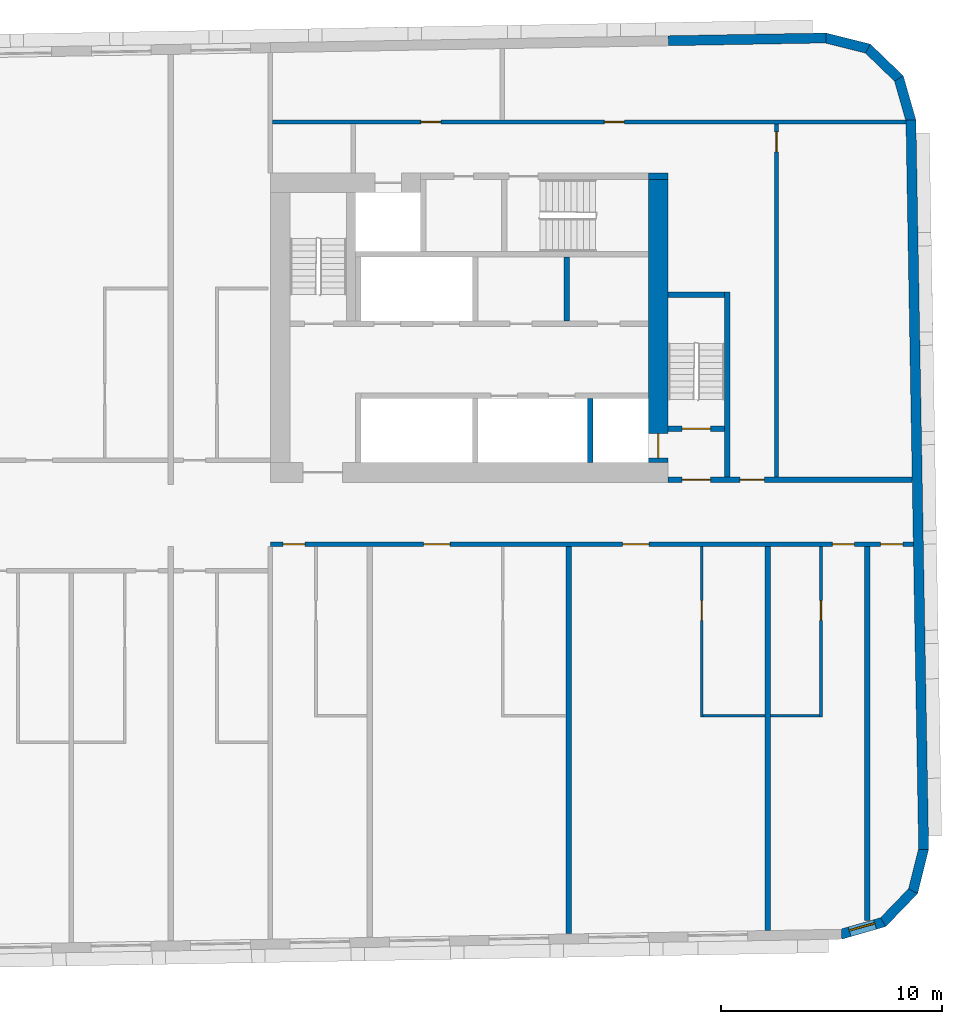
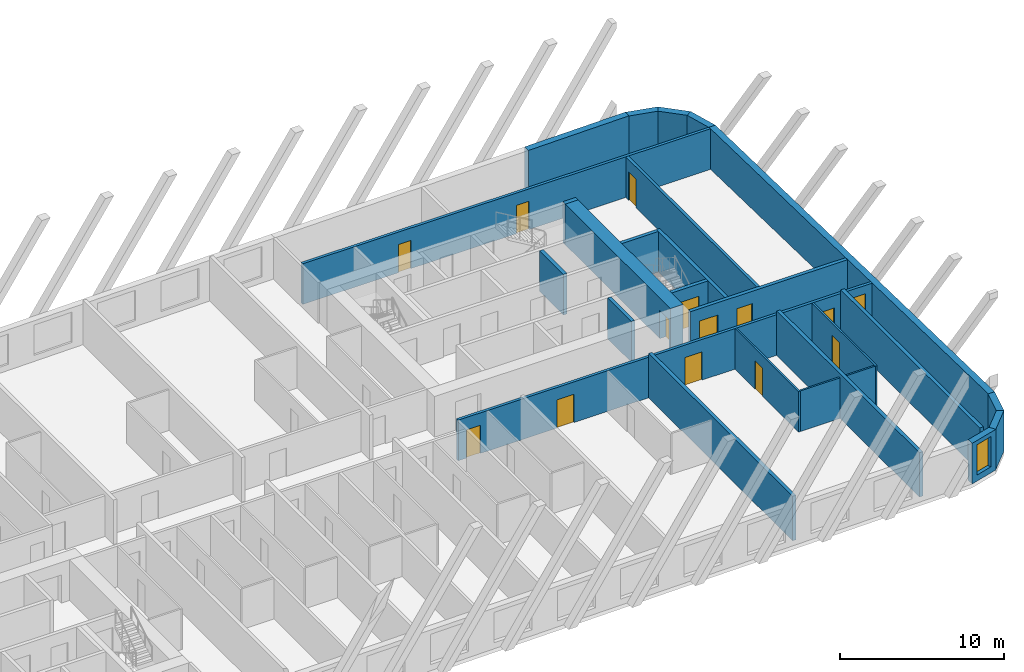
# One storey, part 7 of 12: 26 walls, 14 doors, 1 window, 15 openings.
"""IFC4 building model written with IfcOpenShell, lengths in metres."""

from ifc_helpers import new_model, si_unit, direction, frame, frame_2d, origin, place, context, subcontext, project, spatial, polyline, rectangle, outline, extrude, material, layer, layer_set, type_object, element, fill, save


model = new_model("IFC4")

# Units and contexts
model_context = context("Model", 3, precision=1e-05, world=origin(), true_north=direction((0.0, 1.0)))
body_context = subcontext(model_context, "Body", "Model", "MODEL_VIEW")
ifc_project = project(units=[si_unit("LENGTHUNIT", "METRE"), si_unit("AREAUNIT", "SQUARE_METRE"), si_unit("VOLUMEUNIT", "CUBIC_METRE"), si_unit("PLANEANGLEUNIT", "RADIAN"), si_unit("MASSUNIT", "GRAM", prefix="KILO")], contexts=[model_context])

# Site, building, storey
site_placement = place(None, origin())
site = spatial("IfcSite", under=ifc_project, at=site_placement, CompositionType="ELEMENT")
building_placement = place(site_placement, origin())
building = spatial("IfcBuilding", under=site, at=building_placement, Name="Kajstack Hotel Tower", CompositionType="ELEMENT")
storey_placement = place(building_placement, frame((0.0, 0.0, 247.39990234375)))
storey = spatial("IfcBuildingStorey", under=building, at=storey_placement, Name="L61", CompositionType="ELEMENT", Elevation=247.39990234375)

# Wall
ifc_material_1 = material(Name="Concrete C60/75", Category="concrete")
ifc_layer_1 = layer(ifc_material_1, 0.89990234375)
ifc_layer_set_1 = layer_set([ifc_layer_1], Name="Core wall 900")
wall_type_1 = type_object("IfcWallType", Name="Core wall 900", PredefinedType="SHEAR", material=ifc_layer_set_1)
wall_1_placement = place(storey_placement, frame((30.60009765625, 15.35009765625, 0.0), z_axis=(0.0, 0.0, 1.0), x_axis=(1.0, 0.0, 0.0)))
element("IfcWall", 1, at=wall_1_placement, inside=storey, type_object=wall_type_1, Name="Core wall E RSW", PredefinedType="SHEAR", context=body_context, shape_type="SweptSolid", body=[
    extrude(rectangle(XDim=0.89990234375, YDim=0.300048828125, at=frame_2d((0.449951171875, 0.0))), origin(), (0.0, 0.0, 1.0), 3.02001953125),
])

# Wall, opening, door
wall_2_placement = place(storey_placement, frame((31.050048828125, 2.39990234375, 0.0), z_axis=(0.0, 0.0, 1.0), x_axis=(0.0, 1.0, 0.0)))
wall_2 = element("IfcWall", 2, at=wall_2_placement, inside=storey, type_object=wall_type_1, Name="Core wall E RW", PredefinedType="SHEAR", context=body_context, shape_type="SweptSolid", body=[
    extrude(rectangle(XDim=12.800048828125, YDim=0.89990234375, at=frame_2d((6.39990234375, 0.0))), origin(), (0.0, 0.0, 1.0), 3.02001953125),
])
opening_1_placement = place(wall_2_placement, frame((0.199951171875, 0.0, 0.0)))
opening_1 = element("IfcOpeningElement", 3, at=opening_1_placement, cuts=wall_2, Name="Opening LD-FF2", PredefinedType="OPENING", context=body_context, shape_type="SweptSolid", body=[
    extrude(rectangle(XDim=1.10009765625, YDim=2.10009765625, at=frame_2d((0.550048828125, 1.050048828125))), frame((0.0, 0.4599609375, 0.0), z_axis=(0.0, -1.0, 0.0), x_axis=(1.0, 0.0, 0.0)), (0.0, 0.0, 1.0), 0.919921875),
])
ifc_material_2 = material(Name="Stainless steel", Category="steel")
door_type_1 = type_object("IfcDoorType", Name="Fire-fighting lift landing door 1100", OperationType="SLIDING_TO_LEFT", PredefinedType="DOOR", material=ifc_material_2)
door_1_placement = place(opening_1_placement, origin())
door_1 = element("IfcDoor", 4, at=door_1_placement, inside=storey, type_object=door_type_1, Name="Landing door FF2", OperationType="SLIDING_TO_LEFT", OverallHeight=2.10009765625, OverallWidth=1.10009765625, PredefinedType="DOOR", context=body_context, shape_type="SweptSolid", body=[
    extrude(rectangle(XDim=1.10009765625, YDim=2.10009765625, at=frame_2d((0.550048828125, 1.050048828125))), frame((0.0, 0.02490234375, 0.0), z_axis=(0.0, -1.0, 0.0), x_axis=(1.0, 0.0, 0.0)), (0.0, 0.0, 1.0), 0.050048828125),
])
fill(opening_1, door_1)

# Wall, openings, doors
ifc_material_3 = material(Name="Gypsum board on steel studs, mineral wool", Category="steel")
ifc_layer_2 = layer(ifc_material_3, 0.199951171875)
ifc_layer_set_2 = layer_set([ifc_layer_2], Name="Corridor wall 200")
wall_type_2 = type_object("IfcWallType", Name="Corridor wall 200", PredefinedType="PARTITIONING", material=ifc_layer_set_2)
wall_3_placement = place(storey_placement, frame((13.5, -1.300048828125, 0.0), z_axis=(0.0, 0.0, 1.0), x_axis=(1.0, 0.0, 0.0)))
wall_3 = element("IfcWall", 5, at=wall_3_placement, inside=storey, type_object=wall_type_2, Name="G-wall-L61-021", PredefinedType="PARTITIONING", context=body_context, shape_type="SweptSolid", body=[
    extrude(rectangle(XDim=29.091064453125, YDim=0.199951171875, at=frame_2d((14.54541015625, 0.0))), origin(), (0.0, 0.0, 1.0), 3.02001953125),
])
opening_2_placement = place(wall_3_placement, frame((0.574951171875, 0.0, 0.0)))
opening_2 = element("IfcOpeningElement", 6, at=opening_2_placement, cuts=wall_3, Name="Opening 61027", PredefinedType="OPENING", context=body_context, shape_type="SweptSolid", body=[
    extrude(rectangle(XDim=1.0, YDim=2.10009765625, at=frame_2d((0.5, 1.050048828125))), frame((0.0, 0.10986328125, 0.0), z_axis=(0.0, -1.0, 0.0), x_axis=(1.0, 0.0, 0.0)), (0.0, 0.0, 1.0), 0.219970703125),
])
opening_3_placement = place(wall_3_placement, frame((6.93798828125, 0.0, 0.0)))
opening_3 = element("IfcOpeningElement", 7, at=opening_3_placement, cuts=wall_3, Name="Opening 61029", PredefinedType="OPENING", context=body_context, shape_type="SweptSolid", body=[
    extrude(rectangle(XDim=1.199951171875, YDim=2.10009765625, at=frame_2d((0.60009765625, 1.050048828125))), frame((0.0, 0.10986328125, 0.0), z_axis=(0.0, -1.0, 0.0), x_axis=(1.0, 0.0, 0.0)), (0.0, 0.0, 1.0), 0.219970703125),
])
opening_4_placement = place(wall_3_placement, frame((15.93798828125, 0.0, 0.0)))
opening_4 = element("IfcOpeningElement", 8, at=opening_4_placement, cuts=wall_3, Name="Opening 61031", PredefinedType="OPENING", context=body_context, shape_type="SweptSolid", body=[
    extrude(rectangle(XDim=1.199951171875, YDim=2.10009765625, at=frame_2d((0.60009765625, 1.050048828125))), frame((0.0, 0.10986328125, 0.0), z_axis=(0.0, -1.0, 0.0), x_axis=(1.0, 0.0, 0.0)), (0.0, 0.0, 1.0), 0.219970703125),
])
opening_5_placement = place(wall_3_placement, frame((25.425048828125, 0.0, 0.0)))
opening_5 = element("IfcOpeningElement", 9, at=opening_5_placement, cuts=wall_3, Name="Opening 61033", PredefinedType="OPENING", context=body_context, shape_type="SweptSolid", body=[
    extrude(rectangle(XDim=1.0, YDim=2.10009765625, at=frame_2d((0.5, 1.050048828125))), frame((0.0, 0.10986328125, 0.0), z_axis=(0.0, -1.0, 0.0), x_axis=(1.0, 0.0, 0.0)), (0.0, 0.0, 1.0), 0.219970703125),
])
opening_6_placement = place(wall_3_placement, frame((27.611083984375, 0.0, 0.0)))
opening_6 = element("IfcOpeningElement", 10, at=opening_6_placement, cuts=wall_3, Name="Opening 61035", PredefinedType="OPENING", context=body_context, shape_type="SweptSolid", body=[
    extrude(rectangle(XDim=1.0, YDim=2.39990234375, at=frame_2d((0.5, 1.199951171875))), frame((0.0, 0.10986328125, 0.0), z_axis=(0.0, -1.0, 0.0), x_axis=(1.0, 0.0, 0.0)), (0.0, 0.0, 1.0), 0.219970703125),
])
ifc_material_4 = material(Name="Oak veneer on timber core, fire-rated leaf", Category="wood")
door_type_2 = type_object("IfcDoorType", Name="Flat entrance door 1000", OperationType="SINGLE_SWING_LEFT", PredefinedType="DOOR", material=ifc_material_4)
door_2_placement = place(opening_2_placement, origin())
door_2 = element("IfcDoor", 11, at=door_2_placement, inside=storey, type_object=door_type_2, Name="G-door-L61-27", OperationType="SINGLE_SWING_LEFT", OverallHeight=2.10009765625, OverallWidth=1.0, PredefinedType="DOOR", context=body_context, shape_type="SweptSolid", body=[
    extrude(rectangle(XDim=1.0, YDim=2.10009765625, at=frame_2d((0.5, 1.050048828125))), frame((0.0, 0.02490234375, 0.0), z_axis=(0.0, -1.0, 0.0), x_axis=(1.0, 0.0, 0.0)), (0.0, 0.0, 1.0), 0.050048828125),
])
fill(opening_2, door_2)
door_3_placement = place(opening_5_placement, origin())
door_3 = element("IfcDoor", 12, at=door_3_placement, inside=storey, type_object=door_type_2, Name="G-door-L61-33", OperationType="SINGLE_SWING_LEFT", OverallHeight=2.10009765625, OverallWidth=1.0, PredefinedType="DOOR", context=body_context, shape_type="SweptSolid", body=[
    extrude(rectangle(XDim=1.0, YDim=2.10009765625, at=frame_2d((0.5, 1.050048828125))), frame((0.0, 0.02490234375, 0.0), z_axis=(0.0, -1.0, 0.0), x_axis=(1.0, 0.0, 0.0)), (0.0, 0.0, 1.0), 0.050048828125),
])
fill(opening_5, door_3)
door_type_3 = type_object("IfcDoorType", Name="Flat entrance door 1200", OperationType="SINGLE_SWING_LEFT", PredefinedType="DOOR", material=ifc_material_4)
door_4_placement = place(opening_3_placement, origin())
door_4 = element("IfcDoor", 13, at=door_4_placement, inside=storey, type_object=door_type_3, Name="G-door-L61-29", OperationType="SINGLE_SWING_LEFT", OverallHeight=2.10009765625, OverallWidth=1.199951171875, PredefinedType="DOOR", context=body_context, shape_type="SweptSolid", body=[
    extrude(rectangle(XDim=1.199951171875, YDim=2.10009765625, at=frame_2d((0.60009765625, 1.050048828125))), frame((0.0, 0.02490234375, 0.0), z_axis=(0.0, -1.0, 0.0), x_axis=(1.0, 0.0, 0.0)), (0.0, 0.0, 1.0), 0.050048828125),
])
fill(opening_3, door_4)
door_5_placement = place(opening_4_placement, origin())
door_5 = element("IfcDoor", 14, at=door_5_placement, inside=storey, type_object=door_type_3, Name="G-door-L61-31", OperationType="SINGLE_SWING_LEFT", OverallHeight=2.10009765625, OverallWidth=1.199951171875, PredefinedType="DOOR", context=body_context, shape_type="SweptSolid", body=[
    extrude(rectangle(XDim=1.199951171875, YDim=2.10009765625, at=frame_2d((0.60009765625, 1.050048828125))), frame((0.0, 0.02490234375, 0.0), z_axis=(0.0, -1.0, 0.0), x_axis=(1.0, 0.0, 0.0)), (0.0, 0.0, 1.0), 0.050048828125),
])
fill(opening_4, door_5)
ifc_material_5 = material(Name="Steel-faced door leaf, fire-rated", Category="steel")
door_type_4 = type_object("IfcDoorType", Name="Store door 1000", OperationType="SINGLE_SWING_LEFT", PredefinedType="DOOR", material=ifc_material_5)
door_6_placement = place(opening_6_placement, origin())
door_6 = element("IfcDoor", 15, at=door_6_placement, inside=storey, type_object=door_type_4, Name="G-door-L61-35", OperationType="SINGLE_SWING_LEFT", OverallHeight=2.39990234375, OverallWidth=1.0, PredefinedType="DOOR", context=body_context, shape_type="SweptSolid", body=[
    extrude(rectangle(XDim=1.0, YDim=2.39990234375, at=frame_2d((0.5, 1.199951171875))), frame((0.0, 0.02490234375, 0.0), z_axis=(0.0, -1.0, 0.0), x_axis=(1.0, 0.0, 0.0)), (0.0, 0.0, 1.0), 0.050048828125),
])
fill(opening_6, door_6)

# Wall, opening, window
ifc_material_6 = material(Name="Terracotta-faced brick masonry", Category="masonry")
ifc_layer_3 = layer(ifc_material_6, 0.449951171875)
ifc_layer_set_3 = layer_set([ifc_layer_3], Name="EW-TERRA")
wall_type_3 = type_object("IfcWallType", Name="EW-TERRA", PredefinedType="SOLIDWALL", material=ifc_layer_set_3)
wall_4_placement = place(storey_placement, frame((39.290283203125, -18.952392578125, 0.0), z_axis=(0.0, 0.0, 1.0), x_axis=(0.961247584925, 0.275686562016, 0.0)))
wall_4 = element("IfcWall", 16, at=wall_4_placement, inside=storey, type_object=wall_type_3, Name="E-wall-L61-05-00", PredefinedType="SOLIDWALL", context=body_context, shape_type="SweptSolid", body=[
    extrude(outline(polyline([(0.0, -0.224853515625), (2.070556640625, -0.22509765625), (1.949951171875, 0.224853515625), (0.12060546875, 0.22509765625), (0.0, -0.224853515625)])), origin(), (0.0, 0.0, 1.0), 3.02001953125),
])
opening_7_placement = place(wall_4_placement, frame((0.435302734375, 0.0, 0.449951171875)))
opening_7 = element("IfcOpeningElement", 17, at=opening_7_placement, cuts=wall_4, Name="Opening W3", PredefinedType="OPENING", context=body_context, shape_type="SweptSolid", body=[
    extrude(rectangle(XDim=1.199951171875, YDim=2.25, at=frame_2d((0.60009765625, 1.125))), frame((0.0, 0.23486328125, 0.0), z_axis=(0.0, -1.0, 0.0), x_axis=(1.0, 0.0, 0.0)), (0.0, 0.0, 1.0), 0.469970703125),
])
ifc_material_7 = material(Name="Timber-aluminium window, triple glazed", Category="wood")
window_type = type_object("IfcWindowType", Name="WG3", PartitioningType="SINGLE_PANEL", PredefinedType="WINDOW", material=ifc_material_7)
window_placement = place(opening_7_placement, origin())
window = element("IfcWindow", 18, at=window_placement, inside=storey, type_object=window_type, Name="Window W3 L61-05", OverallHeight=2.25, OverallWidth=1.199951171875, PartitioningType="SINGLE_PANEL", PredefinedType="WINDOW", context=body_context, shape_type="SweptSolid", body=[
    extrude(rectangle(XDim=1.199951171875, YDim=2.25, at=frame_2d((0.60009765625, 1.125))), frame((0.0, 0.090087890625, 0.0), z_axis=(0.0, -1.0, 0.0), x_axis=(1.0, 0.0, 0.0)), (0.0, 0.0, 1.0), 0.06005859375),
])
fill(opening_7, window)

# Walls
wall_5_placement = place(storey_placement, frame((41.1806640625, -18.441650390625, 0.0), z_axis=(0.0, 0.0, 1.0), x_axis=(0.694678672846, 0.719320193998, 0.0)))
element("IfcWall", 19, at=wall_5_placement, inside=storey, type_object=wall_type_3, Name="E-wall-L61-06-00", PredefinedType="SOLIDWALL", context=body_context, shape_type="SweptSolid", body=[
    extrude(outline(polyline([(0.0, -0.22509765625), (2.07080078125, -0.224853515625), (1.9501953125, 0.22509765625), (0.12060546875, 0.22509765625), (0.0, -0.22509765625)])), origin(), (0.0, 0.0, 1.0), 3.02001953125),
])
wall_6_placement = place(storey_placement, frame((42.562744140625, -17.053955078125, 0.0), z_axis=(0.0, 0.0, 1.0), x_axis=(0.241841950319, 0.970315655375, 0.0)))
element("IfcWall", 20, at=wall_6_placement, inside=storey, type_object=wall_type_3, Name="E-wall-L61-07-00", PredefinedType="SOLIDWALL", context=body_context, shape_type="SweptSolid", body=[
    extrude(outline(polyline([(0.0, -0.224853515625), (2.070556640625, -0.22509765625), (1.949951171875, 0.224853515625), (0.12060546875, 0.22509765625), (0.0, -0.224853515625)])), origin(), (0.0, 0.0, 1.0), 3.02001953125),
])
wall_7_placement = place(storey_placement, frame((43.056884765625, -15.103271484375, 0.0), z_axis=(0.0, 0.0, 1.0), x_axis=(-0.017452408953, 0.999847695112, 0.0)))
element("IfcWall", 21, at=wall_7_placement, inside=storey, type_object=wall_type_3, Name="E-wall-L61-08-00", PredefinedType="SOLIDWALL", context=body_context, shape_type="SweptSolid", body=[
    extrude(rectangle(XDim=33.0, YDim=0.449951171875, at=frame_2d((16.5, 0.0))), origin(), (0.0, 0.0, 1.0), 3.02001953125),
])
wall_8_placement = place(storey_placement, frame((42.489501953125, 17.83349609375, 0.0), z_axis=(0.0, 0.0, 1.0), x_axis=(-0.275546368831, 0.961287781377, 0.0)))
element("IfcWall", 22, at=wall_8_placement, inside=storey, type_object=wall_type_3, Name="E-wall-L61-09-00", PredefinedType="SOLIDWALL", context=body_context, shape_type="SweptSolid", body=[
    extrude(outline(polyline([(0.0, -0.22509765625), (2.070556640625, -0.224853515625), (1.949951171875, 0.22509765625), (0.12060546875, 0.224853515625), (0.0, -0.22509765625)])), origin(), (0.0, 0.0, 1.0), 3.02001953125),
])
wall_9_placement = place(storey_placement, frame((41.97900390625, 19.72412109375, 0.0), z_axis=(0.0, 0.0, 1.0), x_axis=(-0.719379111448, 0.694617660308, 0.0)))
element("IfcWall", 23, at=wall_9_placement, inside=storey, type_object=wall_type_3, Name="E-wall-L61-10-00", PredefinedType="SOLIDWALL", context=body_context, shape_type="SweptSolid", body=[
    extrude(outline(polyline([(0.0, -0.224853515625), (2.070556640625, -0.22509765625), (1.949951171875, 0.224853515625), (0.12060546875, 0.22509765625), (0.0, -0.224853515625)])), origin(), (0.0, 0.0, 1.0), 3.02001953125),
])
wall_10_placement = place(storey_placement, frame((40.59130859375, 21.10595703125, 0.0), z_axis=(0.0, 0.0, 1.0), x_axis=(-0.970287979719, 0.241952963225, 0.0)))
element("IfcWall", 24, at=wall_10_placement, inside=storey, type_object=wall_type_3, Name="E-wall-L61-11-00", PredefinedType="SOLIDWALL", context=body_context, shape_type="SweptSolid", body=[
    extrude(outline(polyline([(0.0, -0.22509765625), (2.070556640625, -0.224853515625), (1.949951171875, 0.22509765625), (0.12060546875, 0.224853515625), (0.0, -0.22509765625)])), origin(), (0.0, 0.0, 1.0), 3.02001953125),
])
wall_11_placement = place(storey_placement, frame((38.640625, 21.600341796875, 0.0), z_axis=(0.0, 0.0, 1.0), x_axis=(-0.999847245074, -0.017478172627, 0.0)))
element("IfcWall", 25, at=wall_11_placement, inside=storey, type_object=wall_type_3, Name="E-wall-L61-12-00", PredefinedType="SOLIDWALL", context=body_context, shape_type="SweptSolid", body=[
    extrude(rectangle(XDim=7.1376953125, YDim=0.449951171875, at=frame_2d((3.56884765625, 0.0))), origin(), (0.0, 0.0, 1.0), 3.02001953125),
])

# Wall, opening, door
ifc_material_8 = material(Name="Gypsum board and tiled backer on steel studs", Category="steel")
ifc_layer_4 = layer(ifc_material_8, 0.125)
ifc_layer_set_4 = layer_set([ifc_layer_4], Name="En-suite wall 125")
wall_type_4 = type_object("IfcWallType", Name="En-suite wall 125", PredefinedType="PARTITIONING", material=ifc_layer_set_4)
wall_12_placement = place(storey_placement, frame((33.012939453125, -9.125, 0.0), z_axis=(0.0, 0.0, 1.0), x_axis=(0.0, 1.0, 0.0)))
wall_12 = element("IfcWall", 26, at=wall_12_placement, inside=storey, type_object=wall_type_4, Name="G-wall-L61-041", PredefinedType="PARTITIONING", context=body_context, shape_type="SweptSolid", body=[
    extrude(rectangle(XDim=7.72509765625, YDim=0.125, at=frame_2d((3.862548828125, 0.0))), origin(), (0.0, 0.0, 1.0), 3.02001953125),
])
opening_8_placement = place(wall_12_placement, frame((4.375, 0.0, 0.0)))
opening_8 = element("IfcOpeningElement", 27, at=opening_8_placement, cuts=wall_12, Name="Opening 61032", PredefinedType="OPENING", context=body_context, shape_type="SweptSolid", body=[
    extrude(rectangle(XDim=0.89990234375, YDim=2.10009765625, at=frame_2d((0.449951171875, 1.050048828125))), frame((0.0, 0.072509765625, 0.0), z_axis=(0.0, -1.0, 0.0), x_axis=(1.0, 0.0, 0.0)), (0.0, 0.0, 1.0), 0.14501953125),
])
ifc_material_9 = material(Name="Painted timber door leaf", Category="wood")
door_type_5 = type_object("IfcDoorType", Name="Room door 900", OperationType="SINGLE_SWING_LEFT", PredefinedType="DOOR", material=ifc_material_9)
door_7_placement = place(opening_8_placement, origin())
door_7 = element("IfcDoor", 28, at=door_7_placement, inside=storey, type_object=door_type_5, Name="G-door-L61-32", OperationType="SINGLE_SWING_LEFT", OverallHeight=2.10009765625, OverallWidth=0.89990234375, PredefinedType="DOOR", context=body_context, shape_type="SweptSolid", body=[
    extrude(rectangle(XDim=0.89990234375, YDim=2.10009765625, at=frame_2d((0.449951171875, 1.050048828125))), frame((0.0, 0.02490234375, 0.0), z_axis=(0.0, -1.0, 0.0), x_axis=(1.0, 0.0, 0.0)), (0.0, 0.0, 1.0), 0.050048828125),
])
fill(opening_8, door_7)

# Wall
wall_13_placement = place(storey_placement, frame((33.074951171875, -9.06201171875, 0.0), z_axis=(0.0, 0.0, 1.0), x_axis=(1.0, 0.0, 0.0)))
element("IfcWall", 29, at=wall_13_placement, inside=storey, type_object=wall_type_4, Name="G-wall-L61-042", PredefinedType="PARTITIONING", context=body_context, shape_type="SweptSolid", body=[
    extrude(rectangle(XDim=2.800048828125, YDim=0.125, at=frame_2d((1.39990234375, 0.0))), origin(), (0.0, 0.0, 1.0), 3.02001953125),
])

# Wall, opening, door
wall_14_placement = place(storey_placement, frame((38.4130859375, -9.125, 0.0), z_axis=(0.0, 0.0, 1.0), x_axis=(0.0, 1.0, 0.0)))
wall_14 = element("IfcWall", 30, at=wall_14_placement, inside=storey, type_object=wall_type_4, Name="G-wall-L61-043", PredefinedType="PARTITIONING", context=body_context, shape_type="SweptSolid", body=[
    extrude(rectangle(XDim=7.72509765625, YDim=0.125, at=frame_2d((3.862548828125, 0.0))), origin(), (0.0, 0.0, 1.0), 3.02001953125),
])
opening_9_placement = place(wall_14_placement, frame((4.375, 0.0, 0.0)))
opening_9 = element("IfcOpeningElement", 31, at=opening_9_placement, cuts=wall_14, Name="Opening 61034", PredefinedType="OPENING", context=body_context, shape_type="SweptSolid", body=[
    extrude(rectangle(XDim=0.89990234375, YDim=2.10009765625, at=frame_2d((0.449951171875, 1.050048828125))), frame((0.0, 0.072509765625, 0.0), z_axis=(0.0, -1.0, 0.0), x_axis=(1.0, 0.0, 0.0)), (0.0, 0.0, 1.0), 0.14501953125),
])
door_8_placement = place(opening_9_placement, origin())
door_8 = element("IfcDoor", 32, at=door_8_placement, inside=storey, type_object=door_type_5, Name="G-door-L61-34", OperationType="SINGLE_SWING_RIGHT", OverallHeight=2.10009765625, OverallWidth=0.89990234375, PredefinedType="DOOR", context=body_context, shape_type="SweptSolid", body=[
    extrude(rectangle(XDim=0.89990234375, YDim=2.10009765625, at=frame_2d((0.449951171875, 1.050048828125))), frame((0.0, 0.02490234375, 0.0), z_axis=(0.0, -1.0, 0.0), x_axis=(1.0, 0.0, 0.0)), (0.0, 0.0, 1.0), 0.050048828125),
])
fill(opening_9, door_8)

# Walls
wall_15_placement = place(storey_placement, frame((36.125, -9.06201171875, 0.0), z_axis=(0.0, 0.0, 1.0), x_axis=(1.0, 0.0, 0.0)))
element("IfcWall", 33, at=wall_15_placement, inside=storey, type_object=wall_type_4, Name="G-wall-L61-044", PredefinedType="PARTITIONING", context=body_context, shape_type="SweptSolid", body=[
    extrude(rectangle(XDim=2.22509765625, YDim=0.125, at=frame_2d((1.112548828125, 0.0))), origin(), (0.0, 0.0, 1.0), 3.02001953125),
])
ifc_material_10 = material(Name="Concrete C45/55", Category="concrete")
ifc_layer_5 = layer(ifc_material_10, 0.25)
ifc_layer_set_5 = layer_set([ifc_layer_5], Name="RC cross wall 250 C45/55")
wall_type_5 = type_object("IfcWallType", Name="RC cross wall 250 C45/55", PredefinedType="SHEAR", material=ifc_layer_set_5)
wall_16_placement = place(storey_placement, frame((27.0, -18.922119140625, 0.0), z_axis=(0.0, 0.0, 1.0), x_axis=(0.0, 1.0, 0.0)))
element("IfcWall", 34, at=wall_16_placement, inside=storey, type_object=wall_type_5, Name="S-wall-L61-11", PredefinedType="SHEAR", context=body_context, shape_type="SweptSolid", body=[
    extrude(rectangle(XDim=17.522216796875, YDim=0.25, at=frame_2d((8.76123046875, 0.0))), origin(), (0.0, 0.0, 1.0), 3.300048828125),
])
wall_17_placement = place(storey_placement, frame((36.0, -18.764892578125, 0.0), z_axis=(0.0, 0.0, 1.0), x_axis=(0.0, 1.0, 0.0)))
element("IfcWall", 35, at=wall_17_placement, inside=storey, type_object=wall_type_5, Name="S-wall-L61-12", PredefinedType="SHEAR", context=body_context, shape_type="SweptSolid", body=[
    extrude(rectangle(XDim=17.364990234375, YDim=0.25, at=frame_2d((8.6826171875, 0.0))), origin(), (0.0, 0.0, 1.0), 3.300048828125),
])
wall_18_placement = place(storey_placement, frame((40.5, -18.3251953125, 0.0), z_axis=(0.0, 0.0, 1.0), x_axis=(0.0, 1.0, 0.0)))
element("IfcWall", 36, at=wall_18_placement, inside=storey, type_object=wall_type_5, Name="S-wall-L61-13", PredefinedType="SHEAR", context=body_context, shape_type="SweptSolid", body=[
    extrude(rectangle(XDim=16.92529296875, YDim=0.25, at=frame_2d((8.462646484375, 0.0))), origin(), (0.0, 0.0, 1.0), 3.300048828125),
])
ifc_material_11 = material(Name="Concrete block masonry", Category="masonry")
ifc_layer_6 = layer(ifc_material_11, 0.25)
ifc_layer_set_6 = layer_set([ifc_layer_6], Name="Riser partition 250")
wall_type_6 = type_object("IfcWallType", Name="Riser partition 250", PredefinedType="PARTITIONING", material=ifc_layer_set_6)
wall_19_placement = place(storey_placement, frame((26.89990234375, 8.800048828125, 0.0), z_axis=(0.0, 0.0, 1.0), x_axis=(0.0, 1.0, 0.0)))
element("IfcWall", 37, at=wall_19_placement, inside=storey, type_object=wall_type_6, Name="Partition E BF0", PredefinedType="PARTITIONING", context=body_context, shape_type="SweptSolid", body=[
    extrude(rectangle(XDim=2.89990234375, YDim=0.25, at=frame_2d((1.449951171875, 0.0))), origin(), (0.0, 0.0, 1.0), 3.02001953125),
])

# Wall, openings, doors
ifc_layer_7 = layer(ifc_material_3, 0.199951171875)
ifc_layer_set_7 = layer_set([ifc_layer_7], Name="Service partition 200")
wall_type_7 = type_object("IfcWallType", Name="Service partition 200", PredefinedType="PARTITIONING", material=ifc_layer_set_7)
wall_20_placement = place(storey_placement, frame((31.5, 1.625, 0.0), z_axis=(0.0, 0.0, 1.0), x_axis=(1.0, 0.0, 0.0)))
wall_20 = element("IfcWall", 38, at=wall_20_placement, inside=storey, type_object=wall_type_7, Name="Partition E SN", PredefinedType="PARTITIONING", context=body_context, shape_type="SweptSolid", body=[
    extrude(rectangle(XDim=11.039794921875, YDim=0.25, at=frame_2d((5.52001953125, 0.0))), origin(), (0.0, 0.0, 1.0), 3.02001953125),
])
opening_10_placement = place(wall_20_placement, frame((0.625, 0.0, 0.0)))
opening_10 = element("IfcOpeningElement", 39, at=opening_10_placement, cuts=wall_20, Name="Opening 61E08", PredefinedType="OPENING", context=body_context, shape_type="SweptSolid", body=[
    extrude(rectangle(XDim=1.300048828125, YDim=2.10009765625, at=frame_2d((0.64990234375, 1.050048828125))), frame((0.0, 0.135009765625, 0.0), z_axis=(0.0, -1.0, 0.0), x_axis=(1.0, 0.0, 0.0)), (0.0, 0.0, 1.0), 0.27001953125),
])
opening_11_placement = place(wall_20_placement, frame((3.25, 0.0, 0.0)))
opening_11 = element("IfcOpeningElement", 40, at=opening_11_placement, cuts=wall_20, Name="Opening 61E10", PredefinedType="OPENING", context=body_context, shape_type="SweptSolid", body=[
    extrude(rectangle(XDim=1.10009765625, YDim=2.10009765625, at=frame_2d((0.550048828125, 1.050048828125))), frame((0.0, 0.135009765625, 0.0), z_axis=(0.0, -1.0, 0.0), x_axis=(1.0, 0.0, 0.0)), (0.0, 0.0, 1.0), 0.27001953125),
])
ifc_material_12 = material(Name="Steel leaf, fire-rated", Category="steel")
door_type_6 = type_object("IfcDoorType", Name="Fire lobby door 1300", OperationType="SINGLE_SWING_LEFT", PredefinedType="DOOR", material=ifc_material_12)
door_9_placement = place(opening_10_placement, origin())
door_9 = element("IfcDoor", 41, at=door_9_placement, inside=storey, type_object=door_type_6, Name="Door 61E08", OperationType="SINGLE_SWING_LEFT", OverallHeight=2.10009765625, OverallWidth=1.300048828125, PredefinedType="DOOR", context=body_context, shape_type="SweptSolid", body=[
    extrude(rectangle(XDim=1.300048828125, YDim=2.10009765625, at=frame_2d((0.64990234375, 1.050048828125))), frame((0.0, 0.02490234375, 0.0), z_axis=(0.0, -1.0, 0.0), x_axis=(1.0, 0.0, 0.0)), (0.0, 0.0, 1.0), 0.050048828125),
])
fill(opening_10, door_9)
ifc_material_13 = material(Name="Timber leaf, fire-rated", Category="wood")
door_type_7 = type_object("IfcDoorType", Name="Service corridor door 1100", OperationType="SINGLE_SWING_LEFT", PredefinedType="DOOR", material=ifc_material_13)
door_10_placement = place(opening_11_placement, origin())
door_10 = element("IfcDoor", 42, at=door_10_placement, inside=storey, type_object=door_type_7, Name="Door 61E10", OperationType="SINGLE_SWING_LEFT", OverallHeight=2.10009765625, OverallWidth=1.10009765625, PredefinedType="DOOR", context=body_context, shape_type="SweptSolid", body=[
    extrude(rectangle(XDim=1.10009765625, YDim=2.10009765625, at=frame_2d((0.550048828125, 1.050048828125))), frame((0.0, 0.02490234375, 0.0), z_axis=(0.0, -1.0, 0.0), x_axis=(1.0, 0.0, 0.0)), (0.0, 0.0, 1.0), 0.050048828125),
])
fill(opening_11, door_10)

# Wall, opening, door
wall_21_placement = place(storey_placement, frame((36.39990234375, 1.75, 0.0), z_axis=(0.0, 0.0, 1.0), x_axis=(0.0, 1.0, 0.0)))
wall_21 = element("IfcWall", 43, at=wall_21_placement, inside=storey, type_object=wall_type_7, Name="Partition E WRE", PredefinedType="PARTITIONING", context=body_context, shape_type="SweptSolid", body=[
    extrude(rectangle(XDim=15.949951171875, YDim=0.199951171875, at=frame_2d((7.97509765625, 0.0))), origin(), (0.0, 0.0, 1.0), 3.02001953125),
])
opening_12_placement = place(wall_21_placement, frame((14.699951171875, 0.0, 0.0)))
opening_12 = element("IfcOpeningElement", 44, at=opening_12_placement, cuts=wall_21, Name="Opening 61E18", PredefinedType="OPENING", context=body_context, shape_type="SweptSolid", body=[
    extrude(rectangle(XDim=0.89990234375, YDim=2.10009765625, at=frame_2d((0.449951171875, 1.050048828125))), frame((0.0, 0.10986328125, 0.0), z_axis=(0.0, -1.0, 0.0), x_axis=(1.0, 0.0, 0.0)), (0.0, 0.0, 1.0), 0.219970703125),
])
door_type_8 = type_object("IfcDoorType", Name="Service door 900", OperationType="SINGLE_SWING_LEFT", PredefinedType="DOOR", material=ifc_material_13)
door_11_placement = place(opening_12_placement, origin())
door_11 = element("IfcDoor", 45, at=door_11_placement, inside=storey, type_object=door_type_8, Name="Door 61E18", OperationType="SINGLE_SWING_RIGHT", OverallHeight=2.10009765625, OverallWidth=0.89990234375, PredefinedType="DOOR", context=body_context, shape_type="SweptSolid", body=[
    extrude(rectangle(XDim=0.89990234375, YDim=2.10009765625, at=frame_2d((0.449951171875, 1.050048828125))), frame((0.0, 0.02490234375, 0.0), z_axis=(0.0, -1.0, 0.0), x_axis=(1.0, 0.0, 0.0)), (0.0, 0.0, 1.0), 0.050048828125),
])
fill(opening_12, door_11)

# Wall, openings, doors
wall_22_placement = place(storey_placement, frame((13.60009765625, 17.800048828125, 0.0), z_axis=(0.0, 0.0, 1.0), x_axis=(1.0, 0.0, 0.0)))
wall_22 = element("IfcWall", 46, at=wall_22_placement, inside=storey, type_object=wall_type_7, Name="Partition E SLN", PredefinedType="PARTITIONING", context=body_context, shape_type="SweptSolid", body=[
    extrude(rectangle(XDim=28.657470703125, YDim=0.199951171875, at=frame_2d((14.32861328125, 0.0))), origin(), (0.0, 0.0, 1.0), 3.02001953125),
])
opening_13_placement = place(wall_22_placement, frame((15.012451171875, 0.0, 0.0)))
opening_13 = element("IfcOpeningElement", 47, at=opening_13_placement, cuts=wall_22, Name="Opening 61E16", PredefinedType="OPENING", context=body_context, shape_type="SweptSolid", body=[
    extrude(rectangle(XDim=0.89990234375, YDim=2.10009765625, at=frame_2d((0.449951171875, 1.050048828125))), frame((0.0, 0.10986328125, 0.0), z_axis=(0.0, -1.0, 0.0), x_axis=(1.0, 0.0, 0.0)), (0.0, 0.0, 1.0), 0.219970703125),
])
opening_14_placement = place(wall_22_placement, frame((6.71240234375, 0.0, 0.0)))
opening_14 = element("IfcOpeningElement", 48, at=opening_14_placement, cuts=wall_22, Name="Opening 61E17", PredefinedType="OPENING", context=body_context, shape_type="SweptSolid", body=[
    extrude(rectangle(XDim=0.89990234375, YDim=2.10009765625, at=frame_2d((0.449951171875, 1.050048828125))), frame((0.0, 0.10986328125, 0.0), z_axis=(0.0, -1.0, 0.0), x_axis=(1.0, 0.0, 0.0)), (0.0, 0.0, 1.0), 0.219970703125),
])
door_12_placement = place(opening_13_placement, origin())
door_12 = element("IfcDoor", 49, at=door_12_placement, inside=storey, type_object=door_type_8, Name="Door 61E16", OperationType="SINGLE_SWING_LEFT", OverallHeight=2.10009765625, OverallWidth=0.89990234375, PredefinedType="DOOR", context=body_context, shape_type="SweptSolid", body=[
    extrude(rectangle(XDim=0.89990234375, YDim=2.10009765625, at=frame_2d((0.449951171875, 1.050048828125))), frame((0.0, 0.02490234375, 0.0), z_axis=(0.0, -1.0, 0.0), x_axis=(1.0, 0.0, 0.0)), (0.0, 0.0, 1.0), 0.050048828125),
])
fill(opening_13, door_12)
door_13_placement = place(opening_14_placement, origin())
door_13 = element("IfcDoor", 50, at=door_13_placement, inside=storey, type_object=door_type_8, Name="Door 61E17", OperationType="SINGLE_SWING_LEFT", OverallHeight=2.10009765625, OverallWidth=0.89990234375, PredefinedType="DOOR", context=body_context, shape_type="SweptSolid", body=[
    extrude(rectangle(XDim=0.89990234375, YDim=2.10009765625, at=frame_2d((0.449951171875, 1.050048828125))), frame((0.0, 0.02490234375, 0.0), z_axis=(0.0, -1.0, 0.0), x_axis=(1.0, 0.0, 0.0)), (0.0, 0.0, 1.0), 0.050048828125),
])
fill(opening_14, door_13)

# Wall
ifc_material_14 = material(Name="Concrete C50/60", Category="concrete")
ifc_layer_8 = layer(ifc_material_14, 0.25)
ifc_layer_set_8 = layer_set([ifc_layer_8], Name="Shaft wall 250")
wall_type_8 = type_object("IfcWallType", Name="Shaft wall 250", PredefinedType="SHEAR", material=ifc_layer_set_8)
wall_23_placement = place(storey_placement, frame((27.97509765625, 2.39990234375, 0.0), z_axis=(0.0, 0.0, 1.0), x_axis=(0.0, 1.0, 0.0)))
element("IfcWall", 51, at=wall_23_placement, inside=storey, type_object=wall_type_8, Name="Core wall E AP0", PredefinedType="SHEAR", context=body_context, shape_type="SweptSolid", body=[
    extrude(rectangle(XDim=2.900146484375, YDim=0.25, at=frame_2d((1.4501953125, 0.0))), origin(), (0.0, 0.0, 1.0), 3.02001953125),
])

# Wall, opening, door
ifc_material_15 = material(Name="Concrete C40/50", Category="concrete")
ifc_layer_9 = layer(ifc_material_15, 0.25)
ifc_layer_set_9 = layer_set([ifc_layer_9], Name="Stair enclosure wall 250")
wall_type_9 = type_object("IfcWallType", Name="Stair enclosure wall 250", PredefinedType="SHEAR", material=ifc_layer_set_9)
wall_24_placement = place(storey_placement, frame((31.5, 3.925048828125, 0.0), z_axis=(0.0, 0.0, 1.0), x_axis=(1.0, 0.0, 0.0)))
wall_24 = element("IfcWall", 52, at=wall_24_placement, inside=storey, type_object=wall_type_9, Name="Core wall E W1N", PredefinedType="SHEAR", context=body_context, shape_type="SweptSolid", body=[
    extrude(rectangle(XDim=2.550048828125, YDim=0.25, at=frame_2d((1.27490234375, 0.0))), origin(), (0.0, 0.0, 1.0), 3.02001953125),
])
opening_15_placement = place(wall_24_placement, frame((0.625, 0.0, 0.0)))
opening_15 = element("IfcOpeningElement", 53, at=opening_15_placement, cuts=wall_24, Name="Opening 61E09", PredefinedType="OPENING", context=body_context, shape_type="SweptSolid", body=[
    extrude(rectangle(XDim=1.300048828125, YDim=2.10009765625, at=frame_2d((0.64990234375, 1.050048828125))), frame((0.0, 0.135009765625, 0.0), z_axis=(0.0, -1.0, 0.0), x_axis=(1.0, 0.0, 0.0)), (0.0, 0.0, 1.0), 0.27001953125),
])
door_type_9 = type_object("IfcDoorType", Name="Stair door 1300", OperationType="SINGLE_SWING_LEFT", PredefinedType="DOOR", material=ifc_material_12)
door_14_placement = place(opening_15_placement, origin())
door_14 = element("IfcDoor", 54, at=door_14_placement, inside=storey, type_object=door_type_9, Name="Door 61E09", OperationType="SINGLE_SWING_LEFT", OverallHeight=2.10009765625, OverallWidth=1.300048828125, PredefinedType="DOOR", context=body_context, shape_type="SweptSolid", body=[
    extrude(rectangle(XDim=1.300048828125, YDim=2.10009765625, at=frame_2d((0.64990234375, 1.050048828125))), frame((0.0, 0.02490234375, 0.0), z_axis=(0.0, -1.0, 0.0), x_axis=(1.0, 0.0, 0.0)), (0.0, 0.0, 1.0), 0.050048828125),
])
fill(opening_15, door_14)

# Walls
wall_25_placement = place(storey_placement, frame((34.175048828125, 1.75, 0.0), z_axis=(0.0, 0.0, 1.0), x_axis=(0.0, 1.0, 0.0)))
element("IfcWall", 55, at=wall_25_placement, inside=storey, type_object=wall_type_9, Name="Core wall E W1W", PredefinedType="SHEAR", context=body_context, shape_type="SweptSolid", body=[
    extrude(rectangle(XDim=8.35009765625, YDim=0.25, at=frame_2d((4.175048828125, 0.0))), origin(), (0.0, 0.0, 1.0), 3.02001953125),
])
wall_26_placement = place(storey_placement, frame((31.5, 9.97509765625, 0.0), z_axis=(0.0, 0.0, 1.0), x_axis=(1.0, 0.0, 0.0)))
element("IfcWall", 56, at=wall_26_placement, inside=storey, type_object=wall_type_9, Name="Core wall E W1S", PredefinedType="SHEAR", context=body_context, shape_type="SweptSolid", body=[
    extrude(rectangle(XDim=2.550048828125, YDim=0.25, at=frame_2d((1.27490234375, 0.0))), origin(), (0.0, 0.0, 1.0), 3.02001953125),
])

save(model, "model.ifc")
